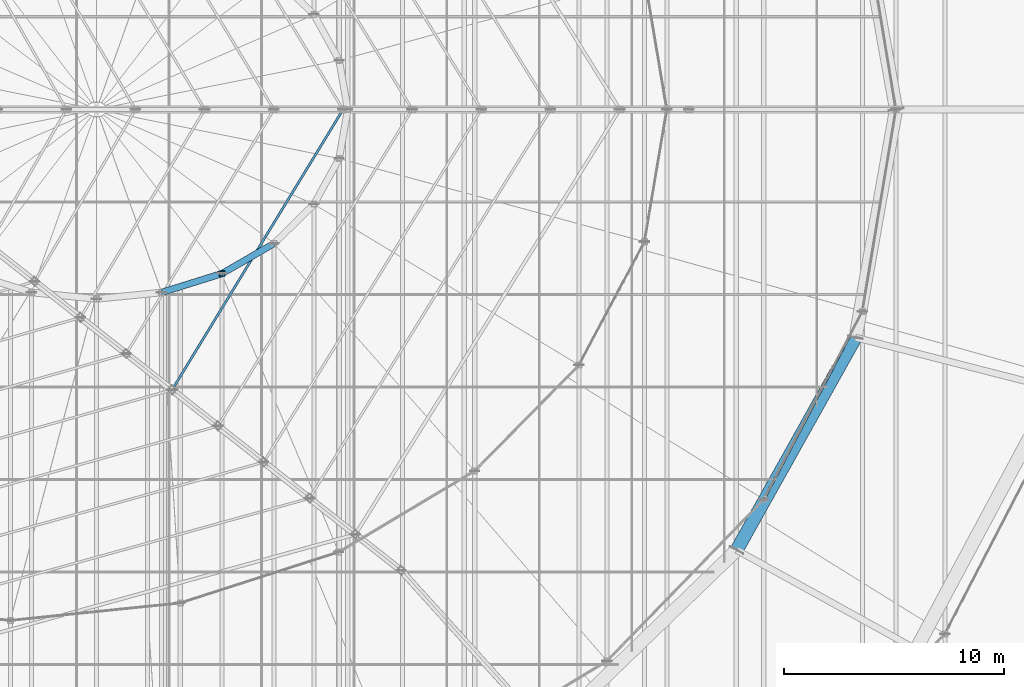
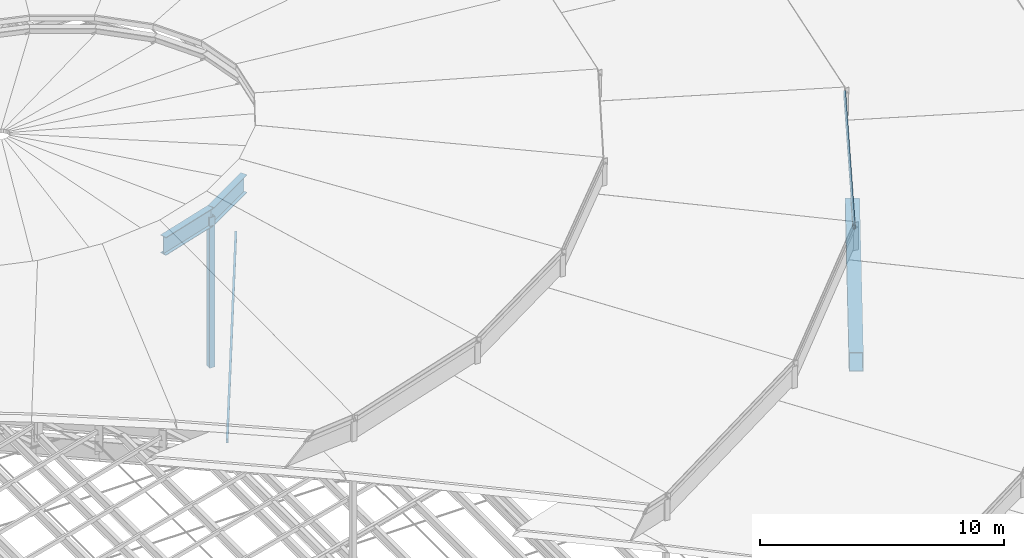
# One storey, part 74 of 184: 3 beams, 3 members.
"""IFC4 building model written with IfcOpenShell, lengths in metres."""

from ifc_helpers import new_model, si_unit, direction, frame, origin, origin_2d, place, context, subcontext, project, spatial, hollow_rectangle, i_section, extrude, material, material_profile, profile_set, type_object, element, save


model = new_model("IFC4")

# Units and contexts
model_context = context("Model", 3, precision=1e-05, world=origin(), true_north=direction((0.0, 1.0)))
body_context = subcontext(model_context, "Body", "Model", "MODEL_VIEW")
ifc_project = project(units=[si_unit("LENGTHUNIT", "METRE"), si_unit("AREAUNIT", "SQUARE_METRE"), si_unit("VOLUMEUNIT", "CUBIC_METRE"), si_unit("PLANEANGLEUNIT", "RADIAN"), si_unit("MASSUNIT", "GRAM", prefix="KILO")], contexts=[model_context])

# Site, building, storey
site_placement = place(None, origin())
site = spatial("IfcSite", under=ifc_project, at=site_placement, CompositionType="ELEMENT")
building_placement = place(site_placement, origin())
building = spatial("IfcBuilding", under=site, at=building_placement, Name="Kalgoora Escarpment Arena", CompositionType="ELEMENT")
storey_placement = place(building_placement, frame((0.0, 0.0, 27.60009765625)))
storey = spatial("IfcBuildingStorey", under=building, at=storey_placement, Name="Roof Level", CompositionType="ELEMENT", Elevation=27.60009765625)

# Beams
ifc_material_1 = material(Name="Structural steel Grade 350 (350 MPa)", Category="steel")
ifc_material_profile_1 = material_profile(ifc_material_1, i_section(OverallWidth=0.300048828125, OverallDepth=0.909912109375, WebThickness=0.011962890625, FlangeThickness=0.028076171875, at=origin_2d()))
ifc_profile_set_1 = profile_set([ifc_material_profile_1], Name="Structural steel Grade 350 (350 MPa)")
beam_type_1 = type_object("IfcBeamType", Name="BM-HUB-RING", PredefinedType="USERDEFINED", material=ifc_profile_set_1)
beam_1_placement = place(storey_placement, frame((113.060546875, 55.693115234375, 6.64990234375), z_axis=(0.954489025966, 0.298246038215, 0.0), x_axis=(-0.298246038215, 0.954489025966, 0.0)))
element("IfcBeam", 1, at=beam_1_placement, inside=storey, type_object=beam_type_1, Name="Crown oculus tension RING BEAM chord 20", ObjectType="GIRDER", PredefinedType="USERDEFINED", context=body_context, shape_type="SweptSolid", body=[
    extrude(i_section(OverallWidth=0.300048828125, OverallDepth=0.909912109375, WebThickness=0.011962890625, FlangeThickness=0.028076171875, at=origin_2d()), origin(), (0.0, 0.0, 1.0), 2.880615234375),
])
beam_2_placement = place(storey_placement, frame((115.81005859375, 56.55224609375, 6.64990234375), z_axis=(0.865442624847, 0.501008046939, 0.0), x_axis=(-0.501008046939, 0.865442624847, 0.0)))
element("IfcBeam", 2, at=beam_2_placement, inside=storey, type_object=beam_type_1, Name="Crown oculus tension RING BEAM chord 21", ObjectType="GIRDER", PredefinedType="USERDEFINED", context=body_context, shape_type="SweptSolid", body=[
    extrude(i_section(OverallWidth=0.300048828125, OverallDepth=0.909912109375, WebThickness=0.011962890625, FlangeThickness=0.028076171875, at=origin_2d()), origin(), (0.0, 0.0, 1.0), 2.727783203125),
])
ifc_material_2 = material(Name="Structural steel Grade 350 (350 MPa)", Category="steel")
ifc_material_profile_2 = material_profile(ifc_material_2, hollow_rectangle(XDim=0.60009765625, YDim=0.949951171875, WallThickness=0.02490234375, at=origin_2d()))
ifc_profile_set_2 = profile_set([ifc_material_profile_2], Name="Structural steel Grade 350 (350 MPa)")
beam_type_2 = type_object("IfcBeamType", Name="BM-RING-BOX950", PredefinedType="USERDEFINED", material=ifc_profile_set_2)
beam_3_placement = place(storey_placement, frame((139.165283203125, 44.0, -1.25), z_axis=(0.488075296374, 0.872801526734, 0.0), x_axis=(-0.872801526734, 0.488075296374, 0.0)))
element("IfcBeam", 3, at=beam_3_placement, inside=storey, type_object=beam_type_2, Name="Bowl compression RING BEAM chord 23", ObjectType="GIRDER", PredefinedType="USERDEFINED", context=body_context, shape_type="SweptSolid", body=[
    extrude(hollow_rectangle(XDim=0.60009765625, YDim=0.949951171875, WallThickness=0.02490234375, at=origin_2d()), origin(), (0.0, 0.0, 1.0), 11.05322265625),
])

# Members
ifc_material_3 = material(Name="Structural steel C450 (450 MPa)", Category="steel")
ifc_material_profile_3 = material_profile(ifc_material_3, hollow_rectangle(XDim=0.25, YDim=0.25, WallThickness=0.012451171875, at=origin_2d()))
ifc_profile_set_3 = profile_set([ifc_material_profile_3], Name="Structural steel C450 (450 MPa)")
member_type_1 = type_object("IfcMemberType", Name="MEM-PETAL-POST", PredefinedType="POST", material=ifc_profile_set_3)
member_1_placement = place(storey_placement, frame((115.81005859375, 56.55224609375, -0.900146484375), z_axis=(0.0, 0.0, 1.0), x_axis=(1.0, 0.0, 0.0)))
element("IfcMember", 4, at=member_1_placement, inside=storey, type_object=member_type_1, Name="Crown dome vertical post 21", PredefinedType="POST", context=body_context, shape_type="SweptSolid", body=[
    extrude(hollow_rectangle(XDim=0.25, YDim=0.25, WallThickness=0.012451171875, at=origin_2d()), origin(), (0.0, 0.0, 1.0), 7.550048828125),
])
ifc_material_4 = material(Name="Structural steel C350 (350 MPa)", Category="steel")
ifc_material_profile_4 = material_profile(ifc_material_4, hollow_rectangle(XDim=0.10009765625, YDim=0.199951171875, WallThickness=0.009033203125, at=origin_2d()))
ifc_profile_set_4 = profile_set([ifc_material_profile_4], Name="Structural steel C350 (350 MPa)")
member_type_2 = type_object("IfcMemberType", Name="MEM-PURLIN-RHS", PredefinedType="PURLIN", material=ifc_profile_set_4)
member_2_placement = place(storey_placement, frame((113.538330078125, 51.272216796875, -0.650146484375), z_axis=(0.520650226205, 0.853770075578, 0.0), x_axis=(-0.853770075578, 0.520650226205, 0.0)))
element("IfcMember", 5, at=member_2_placement, inside=storey, type_object=member_type_2, Name="Roof circumferential purlin ring 6 sector 8", PredefinedType="PURLIN", context=body_context, shape_type="SweptSolid", body=[
    extrude(hollow_rectangle(XDim=0.10009765625, YDim=0.199951171875, WallThickness=0.009033203125, at=origin_2d()), origin(), (0.0, 0.0, 1.0), 14.90771484375),
])
member_3_placement = place(storey_placement, frame((140.39794921875, 46.300048828125, 3.684814453125), z_axis=(0.464282362336, 0.885687240522, 0.0), x_axis=(-0.885687240522, 0.464282362336, 0.0)))
element("IfcMember", 6, at=member_3_placement, inside=storey, type_object=member_type_2, Name="Petal RP3 eave support ring purlin S23", PredefinedType="PURLIN", context=body_context, shape_type="SweptSolid", body=[
    extrude(hollow_rectangle(XDim=0.10009765625, YDim=0.199951171875, WallThickness=0.009033203125, at=origin_2d()), origin(), (0.0, 0.0, 1.0), 9.639892578125),
])

save(model, "model.ifc")
